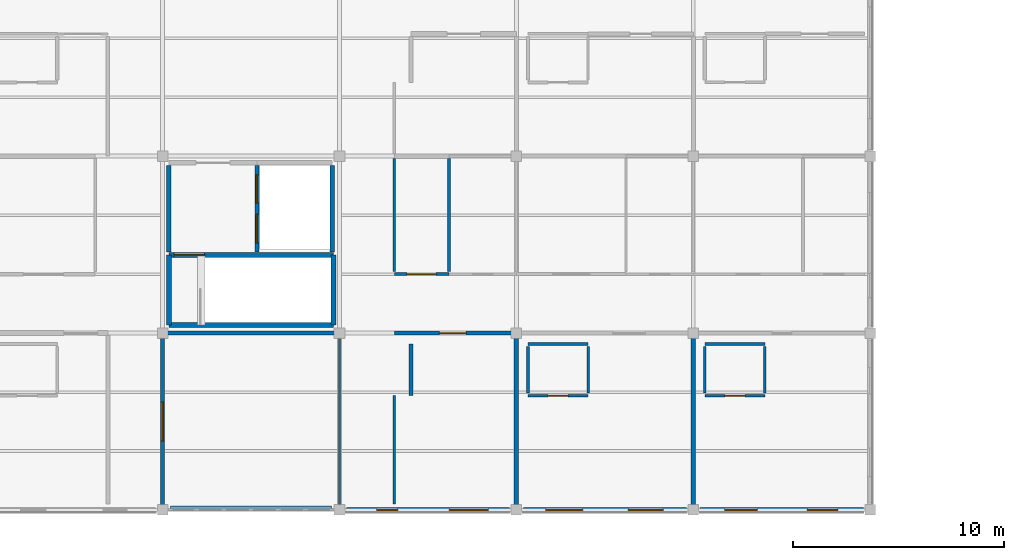
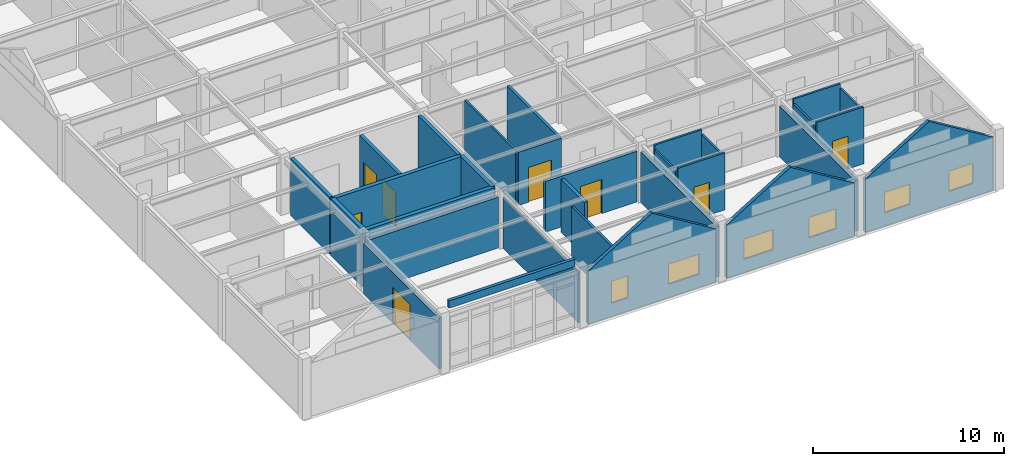
# One storey, part 33 of 45: 30 walls, 8 doors, 6 windows, 14 openings.
"""IFC4 building model written with IfcOpenShell, lengths in metres."""

import ifcopenshell
import ifcopenshell.guid

model = None  # the IFC model being written
_history = None  # IfcOwnerHistory: only IFC2X3 demands one
_inside = {}  # id of a spatial element -> (the spatial element, [elements in it])
_under = {}  # id of a project, library or spatial element -> (it, [spatial elements below it])
_declared = {}  # id of a project -> (the project, [libraries it declares])
_typed = {}  # id of a type object -> (the type object, [elements of that type])
_made_of = {}  # id of a material, layer set ... -> (it, [elements and type objects made of it])


def new_model(schema):
    """Start an empty IFC model of exactly this schema.

    Asked for "IFC4X3", IfcOpenShell would pick the latest addendum, in which some entities
    have other attributes; the version numbers below select the first issue.
    IFC2X3 requires an IfcOwnerHistory on every rooted entity: one is made here for all.
    """
    global model, _history
    if schema == "IFC4X3":
        model = ifcopenshell.file(schema_version=(4, 3, 0, 0))
    else:
        model = ifcopenshell.file(schema=schema)
    _inside.clear()
    _under.clear()
    _declared.clear()
    _typed.clear()
    _made_of.clear()
    _history = None
    if model.schema == "IFC2X3":
        org = make("IfcOrganization", Name="unknown")
        user = make(
            "IfcPersonAndOrganization",
            ThePerson=make("IfcPerson", FamilyName="unknown"),
            TheOrganization=org,
        )
        app = make(
            "IfcApplication",
            ApplicationDeveloper=org,
            Version="unknown",
            ApplicationFullName="unknown",
            ApplicationIdentifier="unknown",
        )
        _history = make(
            "IfcOwnerHistory",
            OwningUser=user,
            OwningApplication=app,
            ChangeAction="ADDED",
            CreationDate=0,
        )
    return model


def make(cls, **values):
    """One entity of the class cls with the attributes given. An attribute that is None is left unset."""
    return model.create_entity(
        cls, **{name: value for name, value in values.items() if value is not None}
    )


def rooted(cls, **values):
    """An entity with a GlobalId (a new one), such as an element, a storey or a relation."""
    return make(cls, GlobalId=ifcopenshell.guid.new(), OwnerHistory=_history, **values)


def si_unit(unit_type, name, prefix=None):
    """IfcSIUnit, for example si_unit("LENGTHUNIT", "METRE", prefix="MILLI")."""
    return make("IfcSIUnit", UnitType=unit_type, Prefix=prefix, Name=name)


def assignment(units):
    """IfcUnitAssignment: the units of a project."""
    return None if units is None else make("IfcUnitAssignment", Units=units)


def point(xyz):
    """IfcCartesianPoint."""
    return None if xyz is None else make("IfcCartesianPoint", Coordinates=xyz)


def direction(xyz):
    """IfcDirection."""
    return None if xyz is None else make("IfcDirection", DirectionRatios=xyz)


def frame(location, z_axis=None, x_axis=None):
    """IfcAxis2Placement3D, a coordinate frame: its origin and axes. An axis left out is left unset."""
    return make(
        "IfcAxis2Placement3D",
        Location=point(location),
        Axis=direction(z_axis),
        RefDirection=direction(x_axis),
    )


def frame_2d(location, x_axis=None):
    """IfcAxis2Placement2D, a coordinate frame in the plane: its origin and x axis."""
    return make(
        "IfcAxis2Placement2D", Location=point(location), RefDirection=direction(x_axis)
    )


def origin():
    """The frame at (0, 0, 0) with its axes left unset."""
    return frame((0.0, 0.0, 0.0))


def place(relative_to, where):
    """IfcLocalPlacement: puts the frame where relative to a parent placement (None: the world)."""
    return make(
        "IfcLocalPlacement", PlacementRelTo=relative_to, RelativePlacement=where
    )


def context(
    kind, dimensions, precision=None, world=None, true_north=None, identifier=None
):
    """IfcGeometricRepresentationContext, for example the 3D "Model" context."""
    return make(
        "IfcGeometricRepresentationContext",
        ContextIdentifier=identifier,
        ContextType=kind,
        CoordinateSpaceDimension=dimensions,
        Precision=precision,
        WorldCoordinateSystem=world,
        TrueNorth=true_north,
    )


def subcontext(parent, identifier, kind, view, scale=None):
    """IfcGeometricRepresentationSubContext, for example "Body" below "Model"."""
    return make(
        "IfcGeometricRepresentationSubContext",
        ContextIdentifier=identifier,
        ContextType=kind,
        ParentContext=parent,
        TargetScale=scale,
        TargetView=view,
    )


def project(units=None, contexts=None):
    """IfcProject with its units and contexts."""
    return rooted(
        "IfcProject",
        Name="project",
        RepresentationContexts=contexts,
        UnitsInContext=assignment(units),
    )


def spatial(cls, under=None, at=None, **own):
    """A site, building, storey or space (cls), placed at a placement, below another one or the project."""
    s = rooted(cls, ObjectPlacement=at, **own)
    if under is not None:
        _under.setdefault(under.id(), (under, []))[1].append(s)
    return s


def polyline(points):
    """IfcPolyline through the points."""
    return make("IfcPolyline", Points=[point(p) for p in points])


def profile(cls, at=None, kind="AREA", **sizes):
    """A parametric profile (cls). Its sizes go by their IFC names, for example OverallWidth=200.0."""
    return make(cls, ProfileType=kind, Position=at, **sizes)


def rectangle(**sizes):
    """IfcRectangleProfileDef."""
    return profile("IfcRectangleProfileDef", **sizes)


def outline(outer, holes=None, kind="AREA"):
    """IfcArbitraryClosedProfileDef: a profile drawn as a closed curve; with holes, ...WithVoids."""
    if holes is None:
        return make("IfcArbitraryClosedProfileDef", ProfileType=kind, OuterCurve=outer)
    return make(
        "IfcArbitraryProfileDefWithVoids",
        ProfileType=kind,
        OuterCurve=outer,
        InnerCurves=holes,
    )


def extrude(swept, where, along, depth):
    """IfcExtrudedAreaSolid: the profile swept, set in the frame where, extruded along a direction by depth."""
    return make(
        "IfcExtrudedAreaSolid",
        SweptArea=swept,
        Position=where,
        ExtrudedDirection=direction(along),
        Depth=depth,
    )


def shape(context_of_items, identifier, shape_type, items):
    """IfcShapeRepresentation: the items that make up one representation, for example the "Body"."""
    return make(
        "IfcShapeRepresentation",
        ContextOfItems=context_of_items,
        RepresentationIdentifier=identifier,
        RepresentationType=shape_type,
        Items=items,
    )


def material(Name=None, Category=None):
    """IfcMaterial."""
    return make("IfcMaterial", Name=Name, Category=Category)


def layer(
    of_material, thickness, ventilated=None, Name=None, Category=None, Priority=None
):
    """IfcMaterialLayer: one layer of a wall or slab, of a material (None: an air gap)."""
    return make(
        "IfcMaterialLayer",
        Material=of_material,
        LayerThickness=thickness,
        IsVentilated=ventilated,
        Name=Name,
        Category=Category,
        Priority=Priority,
    )


def layer_set(layers, Name=None):
    """IfcMaterialLayerSet."""
    return make("IfcMaterialLayerSet", MaterialLayers=layers, LayerSetName=Name)


def made_of(thing, what):
    """Note that an element or type object is made of a material, layer set ...; save() writes the relation."""
    if what is not None:
        _made_of.setdefault(what.id(), (what, []))[1].append(thing)
    return thing


def type_object(cls, material=None, **own):
    """A type object (cls), such as IfcWallType, which elements share."""
    return made_of(rooted(cls, **own), material)


def element(
    cls,
    number,
    at=None,
    inside=None,
    cuts=None,
    type_object=None,
    material=None,
    context=None,
    identifier="Body",
    shape_type=None,
    held_by="IfcProductDefinitionShape",
    body=None,
    shapes=None,
    **own,
):
    """One element of the class cls, such as IfcWall. Its Tag is "e" and its number.

    at: its placement. inside: the storey or other place that contains it. cuts: it is an
    opening in that element (IfcRelVoidsElement). A single representation is given by context,
    identifier, shape_type and body (its items); several are given by shapes. held_by: the class
    of the entity that holds the representations. save() writes the other relations.
    """
    e = rooted(cls, Tag="e%d" % number, ObjectPlacement=at, **own)
    if body is not None:
        shapes = [shape(context, identifier, shape_type, body)]
    if shapes is not None:
        e.Representation = make(held_by, Representations=shapes)
    if inside is not None:
        _inside.setdefault(inside.id(), (inside, []))[1].append(e)
    if cuts is not None:
        rooted(
            "IfcRelVoidsElement", RelatingBuildingElement=cuts, RelatedOpeningElement=e
        )
    if type_object is not None:
        _typed.setdefault(type_object.id(), (type_object, []))[1].append(e)
    return made_of(e, material)


def fill(opening, filler):
    """IfcRelFillsElement: the door or window that sits in an opening."""
    return rooted(
        "IfcRelFillsElement",
        RelatingOpeningElement=opening,
        RelatedBuildingElement=filler,
    )


def aggregate(whole, parts):
    """IfcRelAggregates: a whole, such as a stair, and the parts it consists of."""
    return rooted("IfcRelAggregates", RelatingObject=whole, RelatedObjects=parts)


def save(model, path):
    """Write the relations noted so far, then the file.

    IfcRelAggregates (storeys below a building ...), IfcRelContainedInSpatialStructure (elements
    in a storey), IfcRelDefinesByType, IfcRelAssociatesMaterial and IfcRelDeclares: one each for
    every whole, place, type object, material and project.
    """
    for whole, parts in _under.values():
        aggregate(whole, parts)
    for where, things in _inside.values():
        rooted(
            "IfcRelContainedInSpatialStructure",
            RelatedElements=things,
            RelatingStructure=where,
        )
    for kind, things in _typed.values():
        rooted("IfcRelDefinesByType", RelatedObjects=things, RelatingType=kind)
    for what, things in _made_of.values():
        rooted("IfcRelAssociatesMaterial", RelatedObjects=things, RelatingMaterial=what)
    for by, libraries in _declared.values():
        rooted("IfcRelDeclares", RelatingContext=by, RelatedDefinitions=libraries)
    model.write(path)


model = new_model("IFC4")

# Units and contexts
model_context = context("Model", 3, precision=1e-05, world=origin(), true_north=direction((0.0, 1.0)))
body_context = subcontext(model_context, "Body", "Model", "MODEL_VIEW")
ifc_project = project(units=[si_unit("LENGTHUNIT", "METRE"), si_unit("AREAUNIT", "SQUARE_METRE"), si_unit("VOLUMEUNIT", "CUBIC_METRE"), si_unit("PLANEANGLEUNIT", "RADIAN"), si_unit("MASSUNIT", "GRAM", prefix="KILO")], contexts=[model_context])

# Site, building, storey
site_placement = place(None, origin())
site = spatial("IfcSite", under=ifc_project, at=site_placement, CompositionType="ELEMENT")
building_placement = place(site_placement, origin())
building = spatial("IfcBuilding", under=site, at=building_placement, Name="Bramfleet General Hospital", CompositionType="ELEMENT")
storey_placement = place(building_placement, frame((0.0, 0.0, 30.300048828125)))
storey = spatial("IfcBuildingStorey", under=building, at=storey_placement, Name="L07", CompositionType="ELEMENT", Elevation=30.300048828125)

# Wall, openings, windows
ifc_material_1 = material(Name="Structural timber GL28h", Category="wood")
ifc_layer_1 = layer(ifc_material_1, 0.219970703125, Name="WT-EW-10")
ifc_layer_set_1 = layer_set([ifc_layer_1], Name="Structural timber GL28h")
wall_type_1 = type_object("IfcWallType", Name="WT-EW-10", PredefinedType="SOLIDWALL", material=ifc_layer_set_1)
wall_1_placement = place(storey_placement, frame((134.074951171875, 0.0, 0.0), z_axis=(0.0, 0.0, 1.0), x_axis=(-1.0, 0.0, 0.0)))
wall_1 = element("IfcWall", 1, at=wall_1_placement, inside=storey, type_object=wall_type_1, Name="L07 Exterior Wall 452", PredefinedType="SOLIDWALL", context=body_context, shape_type="SweptSolid", body=[
    extrude(outline(polyline([(0.0, 0.0), (7.75, 0.0), (7.75, 3.39990234375), (3.875, 5.76025390625), (0.0, 3.39990234375), (0.0, 0.0)])), frame((0.0, 0.10986328125, 0.0), z_axis=(0.0, -1.0, 0.0), x_axis=(1.0, 0.0, 0.0)), (0.0, 0.0, 1.0), 0.219970703125),
])
opening_1_placement = place(wall_1_placement, frame((1.21240234375, 0.0, 0.85009765625)))
opening_1 = element("IfcOpeningElement", 2, at=opening_1_placement, cuts=wall_1, Name="Opening W-06", PredefinedType="OPENING", context=body_context, shape_type="SweptSolid", body=[
    extrude(rectangle(XDim=1.449951171875, YDim=1.300048828125, at=frame_2d((0.72509765625, 0.64990234375))), frame((0.0, 0.119873046875, 0.0), z_axis=(0.0, -1.0, 0.0), x_axis=(1.0, 0.0, 0.0)), (0.0, 0.0, 1.0), 0.239990234375),
])
opening_2_placement = place(wall_1_placement, frame((5.03759765625, 0.0, 0.85009765625)))
opening_2 = element("IfcOpeningElement", 3, at=opening_2_placement, cuts=wall_1, Name="Opening W-07", PredefinedType="OPENING", context=body_context, shape_type="SweptSolid", body=[
    extrude(rectangle(XDim=1.550048828125, YDim=1.300048828125, at=frame_2d((0.77490234375, 0.64990234375))), frame((0.0, 0.119873046875, 0.0), z_axis=(0.0, -1.0, 0.0), x_axis=(1.0, 0.0, 0.0)), (0.0, 0.0, 1.0), 0.239990234375),
])
ifc_material_2 = material(Name="Anodised aluminium and low-E triple glazing", Category="aluminium")
window_type_1 = type_object("IfcWindowType", Name="WIN-W-06", PartitioningType="SINGLE_PANEL", PredefinedType="WINDOW", material=ifc_material_2)
window_1_placement = place(opening_1_placement, origin())
window_1 = element("IfcWindow", 4, at=window_1_placement, inside=storey, type_object=window_type_1, Name="L07 Facade Window WIN-L07-452-1", OverallHeight=1.300048828125, OverallWidth=1.449951171875, PartitioningType="SINGLE_PANEL", PredefinedType="WINDOW", context=body_context, shape_type="SweptSolid", body=[
    extrude(rectangle(XDim=1.449951171875, YDim=1.300048828125, at=frame_2d((0.72509765625, 0.64990234375))), frame((0.0, 0.030029296875, 0.0), z_axis=(0.0, -1.0, 0.0), x_axis=(1.0, 0.0, 0.0)), (0.0, 0.0, 1.0), 0.06005859375),
])
fill(opening_1, window_1)
window_type_2 = type_object("IfcWindowType", Name="WIN-W-07", PartitioningType="SINGLE_PANEL", PredefinedType="WINDOW", material=ifc_material_2)
window_2_placement = place(opening_2_placement, origin())
window_2 = element("IfcWindow", 5, at=window_2_placement, inside=storey, type_object=window_type_2, Name="L07 Facade Window WIN-L07-452-2", OverallHeight=1.300048828125, OverallWidth=1.550048828125, PartitioningType="SINGLE_PANEL", PredefinedType="WINDOW", context=body_context, shape_type="SweptSolid", body=[
    extrude(rectangle(XDim=1.550048828125, YDim=1.300048828125, at=frame_2d((0.77490234375, 0.64990234375))), frame((0.0, 0.030029296875, 0.0), z_axis=(0.0, -1.0, 0.0), x_axis=(1.0, 0.0, 0.0)), (0.0, 0.0, 1.0), 0.06005859375),
])
fill(opening_2, window_2)

wall_2_placement = place(storey_placement, frame((125.675048828125, 0.0, 0.0), z_axis=(0.0, 0.0, 1.0), x_axis=(-1.0, 0.0, 0.0)))
wall_2 = element("IfcWall", 6, at=wall_2_placement, inside=storey, type_object=wall_type_1, Name="L07 Exterior Wall 453", PredefinedType="SOLIDWALL", context=body_context, shape_type="SweptSolid", body=[
    extrude(outline(polyline([(0.0, 0.0), (7.75, 0.0), (7.75, 3.39990234375), (3.875, 5.76025390625), (0.0, 3.39990234375), (0.0, 0.0)])), frame((0.0, 0.10986328125, 0.0), z_axis=(0.0, -1.0, 0.0), x_axis=(1.0, 0.0, 0.0)), (0.0, 0.0, 1.0), 0.219970703125),
])
opening_3_placement = place(wall_2_placement, frame((1.112548828125, 0.0, 0.85009765625)))
opening_3 = element("IfcOpeningElement", 7, at=opening_3_placement, cuts=wall_2, Name="Opening W-08", PredefinedType="OPENING", context=body_context, shape_type="SweptSolid", body=[
    extrude(rectangle(XDim=1.64990234375, YDim=1.300048828125, at=frame_2d((0.824951171875, 0.64990234375))), frame((0.0, 0.119873046875, 0.0), z_axis=(0.0, -1.0, 0.0), x_axis=(1.0, 0.0, 0.0)), (0.0, 0.0, 1.0), 0.239990234375),
])
opening_4_placement = place(wall_2_placement, frame((4.9375, 0.0, 0.85009765625)))
opening_4 = element("IfcOpeningElement", 8, at=opening_4_placement, cuts=wall_2, Name="Opening W-09", PredefinedType="OPENING", context=body_context, shape_type="SweptSolid", body=[
    extrude(rectangle(XDim=1.75, YDim=1.300048828125, at=frame_2d((0.875, 0.64990234375))), frame((0.0, 0.119873046875, 0.0), z_axis=(0.0, -1.0, 0.0), x_axis=(1.0, 0.0, 0.0)), (0.0, 0.0, 1.0), 0.239990234375),
])
window_type_3 = type_object("IfcWindowType", Name="WIN-W-08", PartitioningType="SINGLE_PANEL", PredefinedType="WINDOW", material=ifc_material_2)
window_3_placement = place(opening_3_placement, origin())
window_3 = element("IfcWindow", 9, at=window_3_placement, inside=storey, type_object=window_type_3, Name="L07 Facade Window WIN-L07-453-1", OverallHeight=1.300048828125, OverallWidth=1.64990234375, PartitioningType="SINGLE_PANEL", PredefinedType="WINDOW", context=body_context, shape_type="SweptSolid", body=[
    extrude(rectangle(XDim=1.64990234375, YDim=1.300048828125, at=frame_2d((0.824951171875, 0.64990234375))), frame((0.0, 0.030029296875, 0.0), z_axis=(0.0, -1.0, 0.0), x_axis=(1.0, 0.0, 0.0)), (0.0, 0.0, 1.0), 0.06005859375),
])
fill(opening_3, window_3)
window_type_4 = type_object("IfcWindowType", Name="WIN-W-09", PartitioningType="SINGLE_PANEL", PredefinedType="WINDOW", material=ifc_material_2)
window_4_placement = place(opening_4_placement, origin())
window_4 = element("IfcWindow", 10, at=window_4_placement, inside=storey, type_object=window_type_4, Name="L07 Facade Window WIN-L07-453-2", OverallHeight=1.300048828125, OverallWidth=1.75, PartitioningType="SINGLE_PANEL", PredefinedType="WINDOW", context=body_context, shape_type="SweptSolid", body=[
    extrude(rectangle(XDim=1.75, YDim=1.300048828125, at=frame_2d((0.875, 0.64990234375))), frame((0.0, 0.030029296875, 0.0), z_axis=(0.0, -1.0, 0.0), x_axis=(1.0, 0.0, 0.0)), (0.0, 0.0, 1.0), 0.06005859375),
])
fill(opening_4, window_4)

wall_3_placement = place(storey_placement, frame((117.27490234375, 0.0, 0.0), z_axis=(0.0, 0.0, 1.0), x_axis=(-1.0, 0.0, 0.0)))
wall_3 = element("IfcWall", 11, at=wall_3_placement, inside=storey, type_object=wall_type_1, Name="L07 Exterior Wall 454", PredefinedType="SOLIDWALL", context=body_context, shape_type="SweptSolid", body=[
    extrude(outline(polyline([(0.0, 0.0), (7.75, 0.0), (7.75, 3.39990234375), (3.875, 5.76025390625), (0.0, 3.39990234375), (0.0, 0.0)])), frame((0.0, 0.10986328125, 0.0), z_axis=(0.0, -1.0, 0.0), x_axis=(1.0, 0.0, 0.0)), (0.0, 0.0, 1.0), 0.219970703125),
])
opening_5_placement = place(wall_3_placement, frame((1.012451171875, 0.0, 0.85009765625)))
opening_5 = element("IfcOpeningElement", 12, at=opening_5_placement, cuts=wall_3, Name="Opening W-10", PredefinedType="OPENING", context=body_context, shape_type="SweptSolid", body=[
    extrude(rectangle(XDim=1.85009765625, YDim=1.300048828125, at=frame_2d((0.925048828125, 0.64990234375))), frame((0.0, 0.119873046875, 0.0), z_axis=(0.0, -1.0, 0.0), x_axis=(1.0, 0.0, 0.0)), (0.0, 0.0, 1.0), 0.239990234375),
])
opening_6_placement = place(wall_3_placement, frame((5.3125, 0.0, 0.85009765625)))
opening_6 = element("IfcOpeningElement", 13, at=opening_6_placement, cuts=wall_3, Name="Opening W-11", PredefinedType="OPENING", context=body_context, shape_type="SweptSolid", body=[
    extrude(rectangle(XDim=1.0, YDim=1.419921875, at=frame_2d((0.5, 0.7099609375))), frame((0.0, 0.119873046875, 0.0), z_axis=(0.0, -1.0, 0.0), x_axis=(1.0, 0.0, 0.0)), (0.0, 0.0, 1.0), 0.239990234375),
])
window_type_5 = type_object("IfcWindowType", Name="WIN-W-10", PartitioningType="SINGLE_PANEL", PredefinedType="WINDOW", material=ifc_material_2)
window_5_placement = place(opening_5_placement, origin())
window_5 = element("IfcWindow", 14, at=window_5_placement, inside=storey, type_object=window_type_5, Name="L07 Facade Window WIN-L07-454-1", OverallHeight=1.300048828125, OverallWidth=1.85009765625, PartitioningType="SINGLE_PANEL", PredefinedType="WINDOW", context=body_context, shape_type="SweptSolid", body=[
    extrude(rectangle(XDim=1.85009765625, YDim=1.300048828125, at=frame_2d((0.925048828125, 0.64990234375))), frame((0.0, 0.030029296875, 0.0), z_axis=(0.0, -1.0, 0.0), x_axis=(1.0, 0.0, 0.0)), (0.0, 0.0, 1.0), 0.06005859375),
])
fill(opening_5, window_5)
window_type_6 = type_object("IfcWindowType", Name="WIN-W-11", PartitioningType="SINGLE_PANEL", PredefinedType="WINDOW", material=ifc_material_2)
window_6_placement = place(opening_6_placement, origin())
window_6 = element("IfcWindow", 15, at=window_6_placement, inside=storey, type_object=window_type_6, Name="L07 Facade Window WIN-L07-454-2", OverallHeight=1.419921875, OverallWidth=1.0, PartitioningType="SINGLE_PANEL", PredefinedType="WINDOW", context=body_context, shape_type="SweptSolid", body=[
    extrude(rectangle(XDim=1.0, YDim=1.419921875, at=frame_2d((0.5, 0.7099609375))), frame((0.0, 0.030029296875, 0.0), z_axis=(0.0, -1.0, 0.0), x_axis=(1.0, 0.0, 0.0)), (0.0, 0.0, 1.0), 0.06005859375),
])
fill(opening_6, window_6)

# Walls
ifc_material_3 = material(Name="Concrete C35/45", Category="concrete")
ifc_layer_2 = layer(ifc_material_3, 0.219970703125, Name="WT-IW-01")
ifc_layer_set_2 = layer_set([ifc_layer_2], Name="Concrete C35/45")
wall_type_2 = type_object("IfcWallType", Name="WT-IW-01", PredefinedType="PARTITIONING", material=ifc_layer_set_2)
for number, where, z_axis, x_axis, name in (
    (16, (117.60009765625, 0.2451171875, 0.0), (0.0, 0.0, 1.0), (0.0, 1.0, 0.0), "L07 Interior Partition IW-L07-4333"),
    (17, (126.0, 0.2451171875, 0.0), (0.0, 0.0, 1.0), (0.0, 1.0, 0.0), "L07 Interior Partition IW-L07-4345"),
):
    element("IfcWall", number, at=place(storey_placement, frame(where, z_axis=z_axis, x_axis=x_axis)), inside=storey, type_object=wall_type_2, Name=name, PredefinedType="PARTITIONING", context=body_context, shape_type="SweptSolid", body=[
        extrude(rectangle(XDim=7.909912109375, YDim=0.219970703125, at=frame_2d((3.955078125, 0.0))), origin(), (0.0, 0.0, 1.0), 3.25),
    ])

# Wall, openings, doors
ifc_layer_3 = layer(ifc_material_3, 0.205078125, Name="WT-IW-02")
ifc_layer_set_3 = layer_set([ifc_layer_3], Name="Concrete C35/45")
wall_type_3 = type_object("IfcWallType", Name="WT-IW-02", PredefinedType="PARTITIONING", material=ifc_layer_set_3)
wall_4_placement = place(storey_placement, frame((105.280029296875, 12.239990234375, 0.0), z_axis=(0.0, 0.0, 1.0), x_axis=(0.0, 1.0, 0.0)))
wall_4 = element("IfcWall", 18, at=wall_4_placement, inside=storey, type_object=wall_type_3, Name="L07 C3 Lobby East Shaft Wall", PredefinedType="PARTITIONING", context=body_context, shape_type="SweptSolid", body=[
    extrude(rectangle(XDim=4.1201171875, YDim=0.205078125, at=frame_2d((2.06005859375, 0.0))), origin(), (0.0, 0.0, 1.0), 3.64990234375),
])
opening_7_placement = place(wall_4_placement, frame((0.445068359375, 0.0, 0.0)))
opening_7 = element("IfcOpeningElement", 19, at=opening_7_placement, cuts=wall_4, Name="Opening LD-FL-01-L07", PredefinedType="OPENING", context=body_context, shape_type="SweptSolid", body=[
    extrude(rectangle(XDim=1.35009765625, YDim=2.199951171875, at=frame_2d((0.675048828125, 1.10009765625))), frame((0.0, 0.112548828125, 0.0), z_axis=(0.0, -1.0, 0.0), x_axis=(1.0, 0.0, 0.0)), (0.0, 0.0, 1.0), 0.22509765625),
])
opening_8_placement = place(wall_4_placement, frame((2.324951171875, 0.0, 0.0)))
opening_8 = element("IfcOpeningElement", 20, at=opening_8_placement, cuts=wall_4, Name="Opening LD-BL-03-L07", PredefinedType="OPENING", context=body_context, shape_type="SweptSolid", body=[
    extrude(rectangle(XDim=1.35009765625, YDim=2.199951171875, at=frame_2d((0.675048828125, 1.10009765625))), frame((0.0, 0.112548828125, 0.0), z_axis=(0.0, -1.0, 0.0), x_axis=(1.0, 0.0, 0.0)), (0.0, 0.0, 1.0), 0.22509765625),
])
ifc_material_4 = material(Name="Brushed stainless steel 1.4301", Category="steel")
door_type_1 = type_object("IfcDoorType", Name="DR-LD-01", OperationType="NOTDEFINED", PredefinedType="DOOR", material=ifc_material_4)
door_1_placement = place(opening_7_placement, origin())
door_1 = element("IfcDoor", 21, at=door_1_placement, inside=storey, type_object=door_type_1, Name="L07 Lift FL-01 Sliding Landing Door", OperationType="SLIDING_TO_LEFT", OverallHeight=2.199951171875, OverallWidth=1.35009765625, PredefinedType="DOOR", context=body_context, shape_type="SweptSolid", body=[
    extrude(rectangle(XDim=1.35009765625, YDim=2.199951171875, at=frame_2d((0.675048828125, 1.10009765625))), frame((0.0, 0.02490234375, 0.0), z_axis=(0.0, -1.0, 0.0), x_axis=(1.0, 0.0, 0.0)), (0.0, 0.0, 1.0), 0.050048828125),
])
fill(opening_7, door_1)
door_2_placement = place(opening_8_placement, origin())
door_2 = element("IfcDoor", 22, at=door_2_placement, inside=storey, type_object=door_type_1, Name="L07 Lift BL-03 Sliding Landing Door", OperationType="SLIDING_TO_LEFT", OverallHeight=2.199951171875, OverallWidth=1.35009765625, PredefinedType="DOOR", context=body_context, shape_type="SweptSolid", body=[
    extrude(rectangle(XDim=1.35009765625, YDim=2.199951171875, at=frame_2d((0.675048828125, 1.10009765625))), frame((0.0, 0.02490234375, 0.0), z_axis=(0.0, -1.0, 0.0), x_axis=(1.0, 0.0, 0.0)), (0.0, 0.0, 1.0), 0.050048828125),
])
fill(opening_8, door_2)

# Walls
for number, where, z_axis, x_axis, name in (
    (23, (108.85009765625, 12.239990234375, 0.0), (0.0, 0.0, 1.0), (0.0, 1.0, 0.0), "L07 C3 Lift Shaft East Wall"),
    (24, (101.10009765625, 12.239990234375, 0.0), (0.0, 0.0, 1.0), (0.0, 1.0, 0.0), "L07 C3 Lobby West Compartment Wall"),
):
    element("IfcWall", number, at=place(storey_placement, frame(where, z_axis=z_axis, x_axis=x_axis)), inside=storey, type_object=wall_type_3, Name=name, PredefinedType="PARTITIONING", context=body_context, shape_type="SweptSolid", body=[
        extrude(rectangle(XDim=4.1201171875, YDim=0.205078125, at=frame_2d((2.06005859375, 0.0))), origin(), (0.0, 0.0, 1.0), 3.64990234375),
    ])
wall_5_placement = place(storey_placement, frame((101.044921875, 8.39990234375, 0.0), z_axis=(0.0, 0.0, 1.0), x_axis=(1.0, 0.0, 0.0)))
element("IfcWall", 25, at=wall_5_placement, inside=storey, type_object=wall_type_3, Name="L07 Interior Partition IW-L07-4130", PredefinedType="PARTITIONING", context=body_context, shape_type="SweptSolid", body=[
    extrude(rectangle(XDim=7.91015625, YDim=0.205078125, at=frame_2d((3.955078125, 0.0))), origin(), (0.0, 0.0, 1.0), 3.25),
])

# Wall, opening, door
ifc_layer_4 = layer(ifc_material_3, 0.18994140625, Name="WT-IW-03")
ifc_layer_set_4 = layer_set([ifc_layer_4], Name="Concrete C35/45")
wall_type_4 = type_object("IfcWallType", Name="WT-IW-03", PredefinedType="PARTITIONING", material=ifc_layer_set_4)
wall_6_placement = place(storey_placement, frame((111.800048828125, 8.39990234375, 0.0), z_axis=(0.0, 0.0, 1.0), x_axis=(1.0, 0.0, 0.0)))
wall_6 = element("IfcWall", 26, at=wall_6_placement, inside=storey, type_object=wall_type_4, Name="L07 Interior Partition IW-L07-4131", PredefinedType="PARTITIONING", context=body_context, shape_type="SweptSolid", body=[
    extrude(rectangle(XDim=5.554931640625, YDim=0.18994140625, at=frame_2d((2.77734375, 0.0))), origin(), (0.0, 0.0, 1.0), 3.25),
])
opening_9_placement = place(wall_6_placement, frame((2.137451171875, 0.0, 0.0)))
opening_9 = element("IfcOpeningElement", 27, at=opening_9_placement, cuts=wall_6, Name="Opening D1565", PredefinedType="OPENING", context=body_context, shape_type="SweptSolid", body=[
    extrude(rectangle(XDim=1.280029296875, YDim=2.179931640625, at=frame_2d((0.64013671875, 1.08984375))), frame((0.0, 0.10498046875, 0.0), z_axis=(0.0, -1.0, 0.0), x_axis=(1.0, 0.0, 0.0)), (0.0, 0.0, 1.0), 0.2099609375),
])
ifc_material_5 = material(Name="Stainless steel and acoustic timber leaf", Category="steel")
door_type_2 = type_object("IfcDoorType", Name="DR-D-29", OperationType="NOTDEFINED", PredefinedType="DOOR", material=ifc_material_5)
door_3_placement = place(opening_9_placement, origin())
door_3 = element("IfcDoor", 28, at=door_3_placement, inside=storey, type_object=door_type_2, Name="Gabled Patient House PH-06 Bedroom 1300 Door D1565", OperationType="SINGLE_SWING_RIGHT", OverallHeight=2.179931640625, OverallWidth=1.280029296875, PredefinedType="DOOR", context=body_context, shape_type="SweptSolid", body=[
    extrude(rectangle(XDim=1.280029296875, YDim=2.179931640625, at=frame_2d((0.64013671875, 1.08984375))), frame((0.0, 0.02490234375, 0.0), z_axis=(0.0, -1.0, 0.0), x_axis=(1.0, 0.0, 0.0)), (0.0, 0.0, 1.0), 0.050048828125),
])
fill(opening_9, door_3)

wall_7_placement = place(storey_placement, frame((100.800048828125, 0.2451171875, 0.0), z_axis=(0.0, 0.0, 1.0), x_axis=(0.0, 1.0, 0.0)))
wall_7 = element("IfcWall", 29, at=wall_7_placement, inside=storey, type_object=wall_type_4, Name="L07 Interior Partition IW-L07-4287", PredefinedType="PARTITIONING", context=body_context, shape_type="SweptSolid", body=[
    extrude(rectangle(XDim=7.909912109375, YDim=0.18994140625, at=frame_2d((3.955078125, 0.0))), origin(), (0.0, 0.0, 1.0), 3.25),
])
opening_10_placement = place(wall_7_placement, frame((3.034912109375, 0.0, 0.0)))
opening_10 = element("IfcOpeningElement", 30, at=opening_10_placement, cuts=wall_7, Name="Opening D1556", PredefinedType="OPENING", context=body_context, shape_type="SweptSolid", body=[
    extrude(rectangle(XDim=1.840087890625, YDim=2.280029296875, at=frame_2d((0.919921875, 1.14013671875))), frame((0.0, 0.10498046875, 0.0), z_axis=(0.0, -1.0, 0.0), x_axis=(1.0, 0.0, 0.0)), (0.0, 0.0, 1.0), 0.2099609375),
])
door_type_3 = type_object("IfcDoorType", Name="DR-D-20", OperationType="NOTDEFINED", PredefinedType="DOOR", material=ifc_material_5)
door_4_placement = place(opening_10_placement, origin())
door_4 = element("IfcDoor", 31, at=door_4_placement, inside=storey, type_object=door_type_3, Name="Flat-Link Nurse Station and Medication Hub L07-1200 Door D1556", OperationType="DOUBLE_SWING_LEFT", OverallHeight=2.280029296875, OverallWidth=1.840087890625, PredefinedType="DOOR", context=body_context, shape_type="SweptSolid", body=[
    extrude(rectangle(XDim=1.840087890625, YDim=2.280029296875, at=frame_2d((0.919921875, 1.14013671875))), frame((0.0, 0.02490234375, 0.0), z_axis=(0.0, -1.0, 0.0), x_axis=(1.0, 0.0, 0.0)), (0.0, 0.0, 1.0), 0.050048828125),
])
fill(opening_10, door_4)

# Walls
wall_8_placement = place(storey_placement, frame((112.60009765625, 5.429931640625, 0.0), z_axis=(0.0, 0.0, 1.0), x_axis=(0.0, 1.0, 0.0)))
element("IfcWall", 32, at=wall_8_placement, inside=storey, type_object=wall_type_4, Name="L07 Interior Partition IW-L07-4323", PredefinedType="PARTITIONING", context=body_context, shape_type="SweptSolid", body=[
    extrude(rectangle(XDim=2.449951171875, YDim=0.18994140625, at=frame_2d((1.22509765625, 0.0))), origin(), (0.0, 0.0, 1.0), 3.409912109375),
])
ifc_material_6 = material(Name="Gypsum plasterboard on acoustic steel studs", Category="steel")
ifc_layer_5 = layer(ifc_material_6, 0.159912109375, Name="WT-IW-06")
ifc_layer_set_5 = layer_set([ifc_layer_5], Name="Gypsum plasterboard on acoustic steel studs")
wall_type_5 = type_object("IfcWallType", Name="WT-IW-06", PredefinedType="PARTITIONING", material=ifc_layer_set_5)
wall_9_placement = place(storey_placement, frame((114.39990234375, 11.31494140625, 0.0), z_axis=(0.0, 0.0, 1.0), x_axis=(0.0, 1.0, 0.0)))
element("IfcWall", 33, at=wall_9_placement, inside=storey, type_object=wall_type_5, Name="L07 Interior Partition IW-L07-4326", PredefinedType="PARTITIONING", context=body_context, shape_type="SweptSolid", body=[
    extrude(rectangle(XDim=5.3701171875, YDim=0.159912109375, at=frame_2d((2.68505859375, 0.0))), origin(), (0.0, 0.0, 1.0), 3.409912109375),
])

# Wall, opening, door
ifc_layer_6 = layer(ifc_material_6, 0.14990234375, Name="WT-IW-07")
ifc_layer_set_6 = layer_set([ifc_layer_6], Name="Gypsum plasterboard on acoustic steel studs")
wall_type_6 = type_object("IfcWallType", Name="WT-IW-07", PredefinedType="PARTITIONING", material=ifc_layer_set_6)
wall_10_placement = place(storey_placement, frame((111.800048828125, 11.199951171875, 0.0), z_axis=(0.0, 0.0, 1.0), x_axis=(1.0, 0.0, 0.0)))
wall_10 = element("IfcWall", 34, at=wall_10_placement, inside=storey, type_object=wall_type_6, Name="L07 Interior Partition IW-L07-4135", PredefinedType="PARTITIONING", context=body_context, shape_type="SweptSolid", body=[
    extrude(rectangle(XDim=2.599853515625, YDim=0.14990234375, at=frame_2d((1.2998046875, 0.0))), origin(), (0.0, 0.0, 1.0), 3.409912109375),
])
opening_11_placement = place(wall_10_placement, frame((0.610107421875, 0.0, 0.0)))
opening_11 = element("IfcOpeningElement", 35, at=opening_11_placement, cuts=wall_10, Name="Opening D1566", PredefinedType="OPENING", context=body_context, shape_type="SweptSolid", body=[
    extrude(rectangle(XDim=1.3798828125, YDim=2.219970703125, at=frame_2d((0.68994140625, 1.10986328125))), frame((0.0, 0.0849609375, 0.0), z_axis=(0.0, -1.0, 0.0), x_axis=(1.0, 0.0, 0.0)), (0.0, 0.0, 1.0), 0.169921875),
])
door_type_4 = type_object("IfcDoorType", Name="DR-D-30", OperationType="NOTDEFINED", PredefinedType="DOOR", material=ifc_material_5)
door_5_placement = place(opening_11_placement, origin())
door_5 = element("IfcDoor", 36, at=door_5_placement, inside=storey, type_object=door_type_4, Name="Flat-Link Nurse Station and Medication Hub L07-1301 Door D1566", OperationType="SINGLE_SWING_LEFT", OverallHeight=2.219970703125, OverallWidth=1.3798828125, PredefinedType="DOOR", context=body_context, shape_type="SweptSolid", body=[
    extrude(rectangle(XDim=1.3798828125, YDim=2.219970703125, at=frame_2d((0.68994140625, 1.10986328125))), frame((0.0, 0.02490234375, 0.0), z_axis=(0.0, -1.0, 0.0), x_axis=(1.0, 0.0, 0.0)), (0.0, 0.0, 1.0), 0.050048828125),
])
fill(opening_11, door_5)

# Wall
ifc_layer_7 = layer(ifc_material_6, 0.1298828125, Name="WT-IW-09")
ifc_layer_set_7 = layer_set([ifc_layer_7], Name="Gypsum plasterboard on acoustic steel studs")
wall_type_7 = type_object("IfcWallType", Name="WT-IW-09", PredefinedType="PARTITIONING", material=ifc_layer_set_7)
wall_11_placement = place(storey_placement, frame((111.800048828125, 0.280029296875, 0.0), z_axis=(0.0, 0.0, 1.0), x_axis=(0.0, 1.0, 0.0)))
element("IfcWall", 37, at=wall_11_placement, inside=storey, type_object=wall_type_7, Name="L07 Interior Partition IW-L07-4305", PredefinedType="PARTITIONING", context=body_context, shape_type="SweptSolid", body=[
    extrude(rectangle(XDim=5.14990234375, YDim=0.1298828125, at=frame_2d((2.574951171875, 0.0))), origin(), (0.0, 0.0, 1.0), 3.409912109375),
])

# Wall, opening, door
ifc_layer_8 = layer(ifc_material_6, 0.1201171875, Name="WT-IW-10")
ifc_layer_set_8 = layer_set([ifc_layer_8], Name="Gypsum plasterboard on acoustic steel studs")
wall_type_8 = type_object("IfcWallType", Name="WT-IW-10", PredefinedType="PARTITIONING", material=ifc_layer_set_8)
wall_12_placement = place(storey_placement, frame((118.14990234375, 5.429931640625, 0.0), z_axis=(0.0, 0.0, 1.0), x_axis=(1.0, 0.0, 0.0)))
wall_12 = element("IfcWall", 38, at=wall_12_placement, inside=storey, type_object=wall_type_8, Name="L07 Interior Partition IW-L07-4124", PredefinedType="PARTITIONING", context=body_context, shape_type="SweptSolid", body=[
    extrude(rectangle(XDim=2.85009765625, YDim=0.1201171875, at=frame_2d((1.425048828125, 0.0))), origin(), (0.0, 0.0, 1.0), 3.64990234375),
])
opening_12_placement = place(wall_12_placement, frame((0.949951171875, 0.0, 0.0)))
opening_12 = element("IfcOpeningElement", 39, at=opening_12_placement, cuts=wall_12, Name="Opening D1586", PredefinedType="OPENING", context=body_context, shape_type="SweptSolid", body=[
    extrude(rectangle(XDim=0.949951171875, YDim=2.10009765625, at=frame_2d((0.47509765625, 1.050048828125))), frame((0.0, 0.070068359375, 0.0), z_axis=(0.0, -1.0, 0.0), x_axis=(1.0, 0.0, 0.0)), (0.0, 0.0, 1.0), 0.14013671875),
])
door_type_5 = type_object("IfcDoorType", Name="DR-D-10", OperationType="NOTDEFINED", PredefinedType="DOOR", material=ifc_material_5)
door_6_placement = place(opening_12_placement, origin())
door_6 = element("IfcDoor", 40, at=door_6_placement, inside=storey, type_object=door_type_5, Name="Patient House PH-07 En-Suite Bathroom 1400 Door D1586", OperationType="SINGLE_SWING_LEFT", OverallHeight=2.10009765625, OverallWidth=0.949951171875, PredefinedType="DOOR", context=body_context, shape_type="SweptSolid", body=[
    extrude(rectangle(XDim=0.949951171875, YDim=2.10009765625, at=frame_2d((0.47509765625, 1.050048828125))), frame((0.0, 0.02490234375, 0.0), z_axis=(0.0, -1.0, 0.0), x_axis=(1.0, 0.0, 0.0)), (0.0, 0.0, 1.0), 0.050048828125),
])
fill(opening_12, door_6)

wall_13_placement = place(storey_placement, frame((126.550048828125, 5.429931640625, 0.0), z_axis=(0.0, 0.0, 1.0), x_axis=(1.0, 0.0, 0.0)))
wall_13 = element("IfcWall", 41, at=wall_13_placement, inside=storey, type_object=wall_type_8, Name="L07 Interior Partition IW-L07-4125", PredefinedType="PARTITIONING", context=body_context, shape_type="SweptSolid", body=[
    extrude(rectangle(XDim=2.849853515625, YDim=0.1201171875, at=frame_2d((1.4248046875, 0.0))), origin(), (0.0, 0.0, 1.0), 3.64990234375),
])
opening_13_placement = place(wall_13_placement, frame((0.949951171875, 0.0, 0.0)))
opening_13 = element("IfcOpeningElement", 42, at=opening_13_placement, cuts=wall_13, Name="Opening D1594", PredefinedType="OPENING", context=body_context, shape_type="SweptSolid", body=[
    extrude(rectangle(XDim=0.949951171875, YDim=2.10009765625, at=frame_2d((0.47509765625, 1.050048828125))), frame((0.0, 0.070068359375, 0.0), z_axis=(0.0, -1.0, 0.0), x_axis=(1.0, 0.0, 0.0)), (0.0, 0.0, 1.0), 0.14013671875),
])
door_7_placement = place(opening_13_placement, origin())
door_7 = element("IfcDoor", 43, at=door_7_placement, inside=storey, type_object=door_type_5, Name="Patient House PH-08 En-Suite Bathroom 1500 Door D1594", OperationType="SINGLE_SWING_LEFT", OverallHeight=2.10009765625, OverallWidth=0.949951171875, PredefinedType="DOOR", context=body_context, shape_type="SweptSolid", body=[
    extrude(rectangle(XDim=0.949951171875, YDim=2.10009765625, at=frame_2d((0.47509765625, 1.050048828125))), frame((0.0, 0.02490234375, 0.0), z_axis=(0.0, -1.0, 0.0), x_axis=(1.0, 0.0, 0.0)), (0.0, 0.0, 1.0), 0.050048828125),
])
fill(opening_13, door_7)

# Walls
wall_14_placement = place(storey_placement, frame((118.14990234375, 7.8798828125, 0.0), z_axis=(0.0, 0.0, 1.0), x_axis=(1.0, 0.0, 0.0)))
element("IfcWall", 44, at=wall_14_placement, inside=storey, type_object=wall_type_8, Name="L07 Interior Partition IW-L07-4127", PredefinedType="PARTITIONING", context=body_context, shape_type="SweptSolid", body=[
    extrude(rectangle(XDim=2.85009765625, YDim=0.1201171875, at=frame_2d((1.425048828125, 0.0))), origin(), (0.0, 0.0, 1.0), 3.64990234375),
])
wall_15_placement = place(storey_placement, frame((126.550048828125, 7.8798828125, 0.0), z_axis=(0.0, 0.0, 1.0), x_axis=(1.0, 0.0, 0.0)))
element("IfcWall", 45, at=wall_15_placement, inside=storey, type_object=wall_type_8, Name="L07 Interior Partition IW-L07-4128", PredefinedType="PARTITIONING", context=body_context, shape_type="SweptSolid", body=[
    extrude(rectangle(XDim=2.849853515625, YDim=0.1201171875, at=frame_2d((1.4248046875, 0.0))), origin(), (0.0, 0.0, 1.0), 3.64990234375),
])
wall_16_placement = place(storey_placement, frame((111.800048828125, 11.31494140625, 0.0), z_axis=(0.0, 0.0, 1.0), x_axis=(0.0, 1.0, 0.0)))
element("IfcWall", 46, at=wall_16_placement, inside=storey, type_object=wall_type_8, Name="L07 Interior Partition IW-L07-4306", PredefinedType="PARTITIONING", context=body_context, shape_type="SweptSolid", body=[
    extrude(rectangle(XDim=5.3701171875, YDim=0.1201171875, at=frame_2d((2.68505859375, 0.0))), origin(), (0.0, 0.0, 1.0), 3.409912109375),
])
for number, where, z_axis, x_axis, name in (
    (47, (118.14990234375, 5.544921875, 0.0), (0.0, 0.0, 1.0), (0.0, 1.0, 0.0), "L07 Interior Partition IW-L07-4340"),
    (48, (121.0, 5.544921875, 0.0), (0.0, 0.0, 1.0), (0.0, 1.0, 0.0), "L07 Interior Partition IW-L07-4342"),
    (49, (126.550048828125, 5.544921875, 0.0), (0.0, 0.0, 1.0), (0.0, 1.0, 0.0), "L07 Interior Partition IW-L07-4348"),
    (50, (129.39990234375, 5.544921875, 0.0), (0.0, 0.0, 1.0), (0.0, 1.0, 0.0), "L07 Interior Partition IW-L07-4350"),
):
    element("IfcWall", number, at=place(storey_placement, frame(where, z_axis=z_axis, x_axis=x_axis)), inside=storey, type_object=wall_type_8, Name=name, PredefinedType="PARTITIONING", context=body_context, shape_type="SweptSolid", body=[
        extrude(rectangle(XDim=2.219970703125, YDim=0.1201171875, at=frame_2d((1.10986328125, 0.0))), origin(), (0.0, 0.0, 1.0), 3.409912109375),
    ])
ifc_layer_9 = layer(ifc_material_6, 0.10009765625, Name="WT-IW-12")
ifc_layer_set_9 = layer_set([ifc_layer_9], Name="Gypsum plasterboard on acoustic steel studs")
wall_type_9 = type_object("IfcWallType", Name="WT-IW-12", PredefinedType="PARTITIONING", material=ifc_layer_set_9)
wall_17_placement = place(storey_placement, frame((109.199951171875, 0.2451171875, 0.0), z_axis=(0.0, 0.0, 1.0), x_axis=(0.0, 1.0, 0.0)))
element("IfcWall", 51, at=wall_17_placement, inside=storey, type_object=wall_type_9, Name="L07 Interior Partition IW-L07-4296", PredefinedType="PARTITIONING", context=body_context, shape_type="SweptSolid", body=[
    extrude(rectangle(XDim=7.909912109375, YDim=0.10009765625, at=frame_2d((3.955078125, 0.0))), origin(), (0.0, 0.0, 1.0), 3.25),
])
ifc_material_7 = material(Name="Precast concrete C40/50", Category="concrete")
ifc_layer_10 = layer(ifc_material_7, 0.18505859375, Name="WT-PW-02")
ifc_layer_set_10 = layer_set([ifc_layer_10], Name="Precast concrete C40/50")
wall_type_10 = type_object("IfcWallType", Name="WT-PW-02", PredefinedType="PARAPET", material=ifc_layer_set_10)
wall_18_placement = place(storey_placement, frame((108.820068359375, 0.1025390625, 3.8798828125), z_axis=(0.0, 0.0, 1.0), x_axis=(-1.0, 0.0, 0.0)))
element("IfcWall", 52, at=wall_18_placement, inside=storey, type_object=wall_type_10, Name="Roof Parapet Wall 101", PredefinedType="PARAPET", context=body_context, shape_type="SweptSolid", body=[
    extrude(rectangle(XDim=7.64013671875, YDim=0.18505859375, at=frame_2d((3.820068359375, 0.0))), origin(), (0.0, 0.0, 1.0), 0.469970703125),
])
ifc_material_8 = material(Name="Concrete C40/50", Category="concrete")
ifc_layer_11 = layer(ifc_material_8, 0.239990234375, Name="WT-SW-240")
ifc_layer_set_11 = layer_set([ifc_layer_11], Name="Concrete C40/50")
wall_type_11 = type_object("IfcWallType", Name="WT-SW-240", PredefinedType="SHEAR", material=ifc_layer_set_11)
wall_19_placement = place(storey_placement, frame((101.10009765625, 8.780029296875, 0.0), z_axis=(0.0, 0.0, 1.0), x_axis=(1.0, 0.0, 0.0)))
element("IfcWall", 53, at=wall_19_placement, inside=storey, type_object=wall_type_11, Name="L07 C3 South Stair Shear Wall", PredefinedType="SHEAR", context=body_context, shape_type="SweptSolid", body=[
    extrude(rectangle(XDim=7.81982421875, YDim=0.239990234375, at=frame_2d((3.909912109375, 0.0))), origin(), (0.0, 0.0, 1.0), 3.659912109375),
])
for number, where, z_axis, x_axis, name in (
    (54, (101.10009765625, 8.780029296875, 0.0), (0.0, 0.0, 1.0), (0.0, 1.0, 0.0), "L07 C3 West Stair Shear Wall"),
    (55, (108.919921875, 8.780029296875, 0.0), (0.0, 0.0, 1.0), (0.0, 1.0, 0.0), "L07 C3 East Stair Shear Wall"),
):
    element("IfcWall", number, at=place(storey_placement, frame(where, z_axis=z_axis, x_axis=x_axis)), inside=storey, type_object=wall_type_11, Name=name, PredefinedType="SHEAR", context=body_context, shape_type="SweptSolid", body=[
        extrude(rectangle(XDim=3.320068359375, YDim=0.239990234375, at=frame_2d((1.66015625, 0.0))), origin(), (0.0, 0.0, 1.0), 3.659912109375),
    ])

# Wall, opening, door
wall_20_placement = place(storey_placement, frame((101.10009765625, 12.10009765625, 0.0), z_axis=(0.0, 0.0, 1.0), x_axis=(1.0, 0.0, 0.0)))
wall_20 = element("IfcWall", 56, at=wall_20_placement, inside=storey, type_object=wall_type_11, Name="L07 C3 Stair-Lobby Shear Wall", PredefinedType="SHEAR", context=body_context, shape_type="SweptSolid", body=[
    extrude(rectangle(XDim=7.81982421875, YDim=0.239990234375, at=frame_2d((3.909912109375, 0.0))), origin(), (0.0, 0.0, 1.0), 3.659912109375),
])
opening_14_placement = place(wall_20_placement, frame((0.25, 0.0, 0.0)))
opening_14 = element("IfcOpeningElement", 57, at=opening_14_placement, cuts=wall_20, Name="Opening D0035", PredefinedType="OPENING", context=body_context, shape_type="SweptSolid", body=[
    extrude(rectangle(XDim=1.449951171875, YDim=2.199951171875, at=frame_2d((0.72509765625, 1.10009765625))), frame((0.0, 0.1298828125, 0.0), z_axis=(0.0, -1.0, 0.0), x_axis=(1.0, 0.0, 0.0)), (0.0, 0.0, 1.0), 0.260009765625),
])
door_type_6 = type_object("IfcDoorType", Name="DR-D-03", OperationType="NOTDEFINED", PredefinedType="DOOR", material=ifc_material_5)
door_8_placement = place(opening_14_placement, origin())
door_8 = element("IfcDoor", 58, at=door_8_placement, inside=storey, type_object=door_type_6, Name="L07 C3 Escape Stair Fire Door D0035", OperationType="SINGLE_SWING_RIGHT", OverallHeight=2.199951171875, OverallWidth=1.449951171875, PredefinedType="DOOR", context=body_context, shape_type="SweptSolid", body=[
    extrude(rectangle(XDim=1.449951171875, YDim=2.199951171875, at=frame_2d((0.72509765625, 1.10009765625))), frame((0.0, 0.02490234375, 0.0), z_axis=(0.0, -1.0, 0.0), x_axis=(1.0, 0.0, 0.0)), (0.0, 0.0, 1.0), 0.050048828125),
])
fill(opening_14, door_8)

save(model, "model.ifc")
